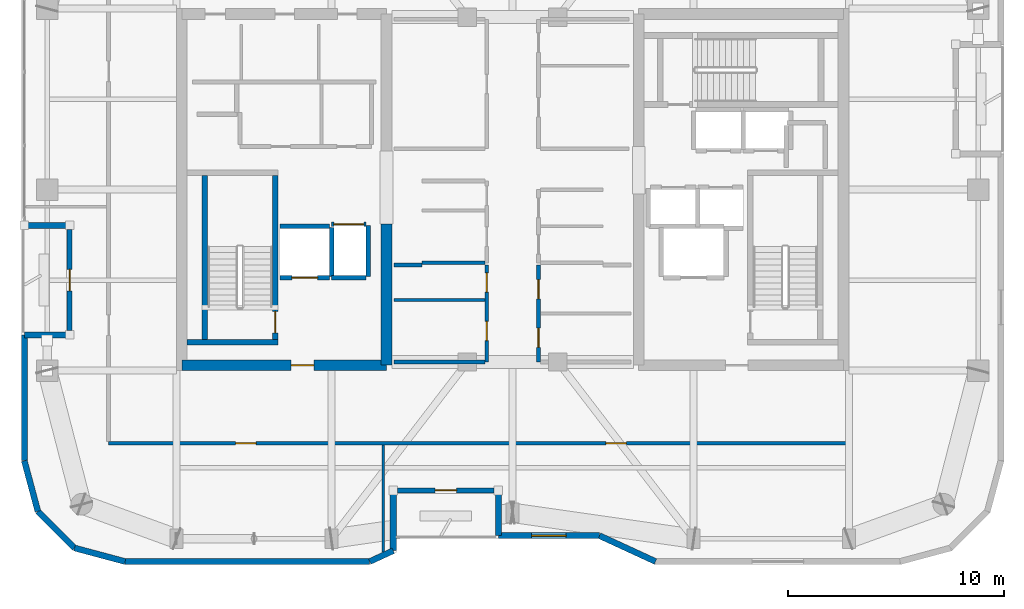
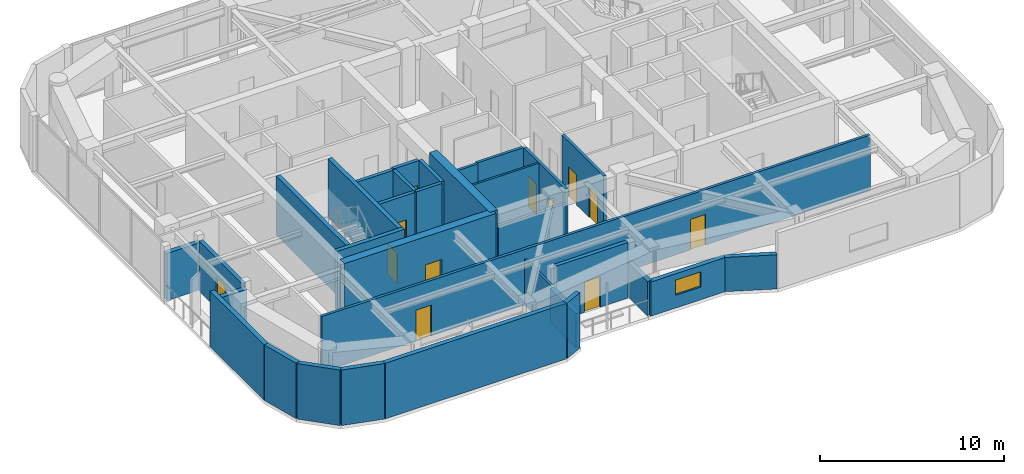
# One storey, part 10 of 15: 33 walls, 12 doors, 1 window, 13 openings.
"""IFC4 building model written with IfcOpenShell, lengths in metres."""

from ifc_helpers import new_model, si_unit, direction, frame, frame_2d, origin, place, context, subcontext, project, spatial, rectangle, extrude, material, layer, layer_set, type_object, element, fill, save


model = new_model("IFC4")

# Units and contexts
model_context = context("Model", 3, precision=1e-05, world=origin(), true_north=direction((0.0, 1.0)))
body_context = subcontext(model_context, "Body", "Model", "MODEL_VIEW")
ifc_project = project(units=[si_unit("LENGTHUNIT", "METRE"), si_unit("AREAUNIT", "SQUARE_METRE"), si_unit("VOLUMEUNIT", "CUBIC_METRE"), si_unit("PLANEANGLEUNIT", "RADIAN"), si_unit("MASSUNIT", "GRAM", prefix="KILO")], contexts=[model_context])

# Site, building, storey
site_placement = place(None, origin())
site = spatial("IfcSite", under=ifc_project, at=site_placement, CompositionType="ELEMENT")
building_placement = place(site_placement, origin())
building = spatial("IfcBuilding", under=site, at=building_placement, Name="Kiyonajd Concourse Tower", CompositionType="ELEMENT")
storey_placement = place(building_placement, frame((0.0, 0.0, 290.10009765625)))
storey = spatial("IfcBuildingStorey", under=building, at=storey_placement, Name="L73", CompositionType="ELEMENT", Elevation=290.10009765625)

# Wall
ifc_material_1 = material(Name="Concrete C60/75", Category="concrete")
ifc_layer_1 = layer(ifc_material_1, 0.5)
ifc_layer_set_1 = layer_set([ifc_layer_1], Name="Concrete C60/75")
wall_type_1 = type_object("IfcWallType", Name="WL-CORE-500", PredefinedType="SHEAR", material=ifc_layer_set_1)
wall_1_placement = place(storey_placement, frame((42.14990234375, 27.85009765625, 0.0), z_axis=(0.0, 0.0, 1.0), x_axis=(0.0, 1.0, 0.0)))
element("IfcWall", 1, at=wall_1_placement, inside=storey, type_object=wall_type_1, Name="L73 West Core Inner South Shear Wall", PredefinedType="SHEAR", context=body_context, shape_type="SweptSolid", body=[
    extrude(rectangle(XDim=6.5498046875, YDim=0.5, at=frame_2d((3.27490234375, 0.0))), origin(), (0.0, 0.0, 1.0), 3.89990234375),
])

# Wall, opening, door
wall_2_placement = place(storey_placement, frame((32.64990234375, 27.85009765625, 0.0), z_axis=(0.0, 0.0, 1.0), x_axis=(1.0, 0.0, 0.0)))
wall_2 = element("IfcWall", 2, at=wall_2_placement, inside=storey, type_object=wall_type_1, Name="L73 West Core South Shear Wall", PredefinedType="SHEAR", context=body_context, shape_type="SweptSolid", body=[
    extrude(rectangle(XDim=9.5, YDim=0.5, at=frame_2d((4.75, 0.0))), origin(), (0.0, 0.0, 1.0), 3.89990234375),
])
opening_1_placement = place(wall_2_placement, frame((5.074951171875, 0.0, 0.0)))
opening_1 = element("IfcOpeningElement", 3, at=opening_1_placement, cuts=wall_2, Name="Opening DF5", PredefinedType="OPENING", context=body_context, shape_type="SweptSolid", body=[
    extrude(rectangle(XDim=1.050048828125, YDim=2.0400390625, at=frame_2d((0.52490234375, 1.02001953125))), frame((0.0, 0.260009765625, 0.0), z_axis=(0.0, -1.0, 0.0), x_axis=(1.0, 0.0, 0.0)), (0.0, 0.0, 1.0), 0.52001953125),
])
ifc_material_2 = material(Name="Brushed Stainless Steel Cab Assembly", Category="steel")
door_type_1 = type_object("IfcDoorType", Name="DR-FD45-1050", OperationType="NOTDEFINED", PredefinedType="DOOR", material=ifc_material_2)
door_1_placement = place(opening_1_placement, origin())
door_1 = element("IfcDoor", 4, at=door_1_placement, inside=storey, type_object=door_type_1, Name="L73 Firefighting Lift Lobby W Smoke Door", OperationType="SINGLE_SWING_LEFT", OverallHeight=2.0400390625, OverallWidth=1.050048828125, PredefinedType="DOOR", context=body_context, shape_type="SweptSolid", body=[
    extrude(rectangle(XDim=1.050048828125, YDim=2.0400390625, at=frame_2d((0.52490234375, 1.02001953125))), frame((0.0, 0.02490234375, 0.0), z_axis=(0.0, -1.0, 0.0), x_axis=(1.0, 0.0, 0.0)), (0.0, 0.0, 1.0), 0.050048828125),
])
fill(opening_1, door_1)

# Walls
ifc_material_3 = material(Name="Precast concrete C50/60", Category="concrete")
ifc_layer_2 = layer(ifc_material_3, 0.280029296875)
ifc_layer_set_2 = layer_set([ifc_layer_2], Name="Precast concrete C50/60")
wall_type_2 = type_object("IfcWallType", Name="WL-EXT-280", PredefinedType="SOLIDWALL", material=ifc_layer_set_2)
wall_3_placement = place(storey_placement, frame((25.968505859375, 21.072509765625, 0.0), z_axis=(0.0, 0.0, 1.0), x_axis=(-0.258751159445, 0.965944013639, 0.0)))
element("IfcWall", 5, at=wall_3_placement, inside=storey, type_object=wall_type_2, Name="L73 Exterior Concrete Frame Wall 00", PredefinedType="SOLIDWALL", context=body_context, shape_type="SweptSolid", body=[
    extrude(rectangle(XDim=2.4287109375, YDim=0.280029296875, at=frame_2d((1.21435546875, 0.0))), origin(), (0.0, 0.0, 1.0), 3.679931640625),
])
wall_4_placement = place(storey_placement, frame((25.340087890625, 23.41845703125, 0.0), z_axis=(0.0, 0.0, 1.0), x_axis=(0.0, 1.0, 0.0)))
element("IfcWall", 6, at=wall_4_placement, inside=storey, type_object=wall_type_2, Name="L73 Exterior Concrete Frame Wall 01", PredefinedType="SOLIDWALL", context=body_context, shape_type="SweptSolid", body=[
    extrude(rectangle(XDim=5.841552734375, YDim=0.280029296875, at=frame_2d((2.9208984375, 0.0))), origin(), (0.0, 0.0, 1.0), 3.679931640625),
])
for number, where, z_axis, x_axis, name in (
    (7, (25.340087890625, 29.260009765625, 0.0), (0.0, 0.0, 1.0), (1.0, 0.0, 0.0), "L73 Exterior Concrete Frame Wall 02"),
    (8, (27.43994140625, 34.340087890625, 0.0), (0.0, 0.0, 1.0), (-1.0, 0.0, 0.0), "L73 Exterior Concrete Frame Wall 04"),
):
    element("IfcWall", number, at=place(storey_placement, frame(where, z_axis=z_axis, x_axis=x_axis)), inside=storey, type_object=wall_type_2, Name=name, PredefinedType="SOLIDWALL", context=body_context, shape_type="SweptSolid", body=[
        extrude(rectangle(XDim=2.099853515625, YDim=0.280029296875, at=frame_2d((1.0498046875, 0.0))), origin(), (0.0, 0.0, 1.0), 3.1259765625),
    ])
wall_5_placement = place(storey_placement, frame((54.630615234375, 18.739990234375, 0.0), z_axis=(0.0, 0.0, 1.0), x_axis=(-0.907956889006, 0.419063584324, 0.0)))
element("IfcWall", 9, at=wall_5_placement, inside=storey, type_object=wall_type_2, Name="L73 Exterior Concrete Frame Wall 29", PredefinedType="SOLIDWALL", context=body_context, shape_type="SweptSolid", body=[
    extrude(rectangle(XDim=2.863525390625, YDim=0.280029296875, at=frame_2d((1.431640625, 0.0))), origin(), (0.0, 0.0, 1.0), 2.264892578125),
])

# Wall, opening, window
wall_6_placement = place(storey_placement, frame((52.03076171875, 19.93994140625, 0.0), z_axis=(0.0, 0.0, 1.0), x_axis=(-1.0, 0.0, 0.0)))
wall_6 = element("IfcWall", 10, at=wall_6_placement, inside=storey, type_object=wall_type_2, Name="L73 Exterior Concrete Frame Wall 30", PredefinedType="SOLIDWALL", context=body_context, shape_type="SweptSolid", body=[
    extrude(rectangle(XDim=4.690673828125, YDim=0.280029296875, at=frame_2d((2.34521484375, 0.0))), origin(), (0.0, 0.0, 1.0), 2.264892578125),
])
opening_2_placement = place(wall_6_placement, frame((1.544921875, 0.0, 0.85009765625)))
opening_2 = element("IfcOpeningElement", 11, at=opening_2_placement, cuts=wall_6, Name="Opening WN6", PredefinedType="OPENING", context=body_context, shape_type="SweptSolid", body=[
    extrude(rectangle(XDim=1.60009765625, YDim=1.0, at=frame_2d((0.800048828125, 0.5))), frame((0.0, 0.14990234375, 0.0), z_axis=(0.0, -1.0, 0.0), x_axis=(1.0, 0.0, 0.0)), (0.0, 0.0, 1.0), 0.300048828125),
])
ifc_material_4 = material(Name="Double Low-E Insulated Glass", Category="glass")
window_type = type_object("IfcWindowType", Name="WN-VIS-1600x1000", PartitioningType="SINGLE_PANEL", PredefinedType="WINDOW", material=ifc_material_4)
window_placement = place(opening_2_placement, origin())
window = element("IfcWindow", 12, at=window_placement, inside=storey, type_object=window_type, Name="L73 Modular Facade Vision Window 30", OverallHeight=1.0, OverallWidth=1.60009765625, PartitioningType="SINGLE_PANEL", PredefinedType="WINDOW", context=body_context, shape_type="SweptSolid", body=[
    extrude(rectangle(XDim=1.60009765625, YDim=1.0, at=frame_2d((0.800048828125, 0.5))), frame((0.0, 0.030029296875, 0.0), z_axis=(0.0, -1.0, 0.0), x_axis=(1.0, 0.0, 0.0)), (0.0, 0.0, 1.0), 0.06005859375),
])
fill(opening_2, window)

# Walls
wall_7_placement = place(storey_placement, frame((47.340087890625, 19.93994140625, 0.0), z_axis=(0.0, 0.0, 1.0), x_axis=(0.0, 1.0, 0.0)))
element("IfcWall", 13, at=wall_7_placement, inside=storey, type_object=wall_type_2, Name="L73 Exterior Concrete Frame Wall 31", PredefinedType="SOLIDWALL", context=body_context, shape_type="SweptSolid", body=[
    extrude(rectangle(XDim=2.10009765625, YDim=0.280029296875, at=frame_2d((1.050048828125, 0.0))), origin(), (0.0, 0.0, 1.0), 2.264892578125),
])
wall_8_placement = place(storey_placement, frame((42.4599609375, 22.0400390625, 0.0), z_axis=(0.0, 0.0, 1.0), x_axis=(0.0, -1.0, 0.0)))
element("IfcWall", 14, at=wall_8_placement, inside=storey, type_object=wall_type_2, Name="L73 Exterior Concrete Frame Wall 33", PredefinedType="SOLIDWALL", context=body_context, shape_type="SweptSolid", body=[
    extrude(rectangle(XDim=2.79638671875, YDim=0.280029296875, at=frame_2d((1.398193359375, 0.0))), origin(), (0.0, 0.0, 1.0), 2.264892578125),
])
wall_9_placement = place(storey_placement, frame((42.4599609375, 19.24365234375, 0.0), z_axis=(0.0, 0.0, 1.0), x_axis=(-0.907893953211, -0.419199916176, 0.0)))
element("IfcWall", 15, at=wall_9_placement, inside=storey, type_object=wall_type_2, Name="L73 Exterior Concrete Frame Wall 34", PredefinedType="SOLIDWALL", context=body_context, shape_type="SweptSolid", body=[
    extrude(rectangle(XDim=1.201416015625, YDim=0.280029296875, at=frame_2d((0.6005859375, 0.0))), origin(), (0.0, 0.0, 1.0), 3.679931640625),
])
wall_10_placement = place(storey_placement, frame((41.369140625, 18.739990234375, 0.0), z_axis=(0.0, 0.0, 1.0), x_axis=(-1.0, 0.0, 0.0)))
element("IfcWall", 16, at=wall_10_placement, inside=storey, type_object=wall_type_2, Name="L73 Exterior Concrete Frame Wall 35", PredefinedType="SOLIDWALL", context=body_context, shape_type="SweptSolid", body=[
    extrude(rectangle(XDim=11.350830078125, YDim=0.280029296875, at=frame_2d((5.67529296875, 0.0))), origin(), (0.0, 0.0, 1.0), 3.679931640625),
])
wall_11_placement = place(storey_placement, frame((30.018310546875, 18.739990234375, 0.0), z_axis=(0.0, 0.0, 1.0), x_axis=(-0.965937282298, 0.25877628691, 0.0)))
element("IfcWall", 17, at=wall_11_placement, inside=storey, type_object=wall_type_2, Name="L73 Exterior Concrete Frame Wall 36", PredefinedType="SOLIDWALL", context=body_context, shape_type="SweptSolid", body=[
    extrude(rectangle(XDim=2.428466796875, YDim=0.280029296875, at=frame_2d((1.21435546875, 0.0))), origin(), (0.0, 0.0, 1.0), 3.679931640625),
])
wall_12_placement = place(storey_placement, frame((27.672607421875, 19.368408203125, 0.0), z_axis=(0.0, 0.0, 1.0), x_axis=(-0.707106781187, 0.707106781187, 0.0)))
element("IfcWall", 18, at=wall_12_placement, inside=storey, type_object=wall_type_2, Name="L73 Exterior Concrete Frame Wall 37", PredefinedType="SOLIDWALL", context=body_context, shape_type="SweptSolid", body=[
    extrude(rectangle(XDim=2.409912109375, YDim=0.280029296875, at=frame_2d((1.205078125, 0.0))), origin(), (0.0, 0.0, 1.0), 3.679931640625),
])

# Wall, opening, door
ifc_layer_3 = layer(ifc_material_3, 0.239990234375)
ifc_layer_set_3 = layer_set([ifc_layer_3], Name="Precast concrete C50/60")
wall_type_3 = type_object("IfcWallType", Name="WL-LOG-240", PredefinedType="SOLIDWALL", material=ifc_layer_set_3)
wall_13_placement = place(storey_placement, frame((27.43994140625, 29.455078125, 0.0), z_axis=(0.0, 0.0, 1.0), x_axis=(0.0, 1.0, 0.0)))
wall_13 = element("IfcWall", 19, at=wall_13_placement, inside=storey, type_object=wall_type_3, Name="L73 Recessed Loggia Thermal Wall LOG-W", PredefinedType="SOLIDWALL", context=body_context, shape_type="SweptSolid", body=[
    extrude(rectangle(XDim=4.68994140625, YDim=0.239990234375, at=frame_2d((2.344970703125, 0.0))), origin(), (0.0, 0.0, 1.0), 3.310791015625),
])
opening_3_placement = place(wall_13_placement, frame((1.844970703125, 0.0, 0.0)))
opening_3 = element("IfcOpeningElement", 20, at=opening_3_placement, cuts=wall_13, Name="Opening DL1", PredefinedType="OPENING", context=body_context, shape_type="SweptSolid", body=[
    extrude(rectangle(XDim=1.0, YDim=2.02001953125, at=frame_2d((0.5, 1.010009765625))), frame((0.0, 0.1298828125, 0.0), z_axis=(0.0, -1.0, 0.0), x_axis=(1.0, 0.0, 0.0)), (0.0, 0.0, 1.0), 0.260009765625),
])
ifc_material_5 = material(Name="Thermally Broken Anodised Aluminium", Category="aluminium")
door_type_2 = type_object("IfcDoorType", Name="DR-LOG-1000", OperationType="NOTDEFINED", PredefinedType="DOOR", material=ifc_material_5)
door_2_placement = place(opening_3_placement, origin())
door_2 = element("IfcDoor", 21, at=door_2_placement, inside=storey, type_object=door_type_2, Name="L73 Engawa Loggia Access Door LOG-W", OperationType="SINGLE_SWING_LEFT", OverallHeight=2.02001953125, OverallWidth=1.0, PredefinedType="DOOR", context=body_context, shape_type="SweptSolid", body=[
    extrude(rectangle(XDim=1.0, YDim=2.02001953125, at=frame_2d((0.5, 1.010009765625))), frame((0.0, 0.02490234375, 0.0), z_axis=(0.0, -1.0, 0.0), x_axis=(1.0, 0.0, 0.0)), (0.0, 0.0, 1.0), 0.050048828125),
])
fill(opening_3, door_2)

wall_14_placement = place(storey_placement, frame((47.14501953125, 22.0400390625, 0.0), z_axis=(0.0, 0.0, 1.0), x_axis=(-1.0, 0.0, 0.0)))
wall_14 = element("IfcWall", 22, at=wall_14_placement, inside=storey, type_object=wall_type_3, Name="L73 Recessed Loggia Thermal Wall LOG-S", PredefinedType="SOLIDWALL", context=body_context, shape_type="SweptSolid", body=[
    extrude(rectangle(XDim=4.489990234375, YDim=0.239990234375, at=frame_2d((2.2451171875, 0.0))), origin(), (0.0, 0.0, 1.0), 3.679931640625),
])
opening_4_placement = place(wall_14_placement, frame((1.7451171875, 0.0, 0.0)))
opening_4 = element("IfcOpeningElement", 23, at=opening_4_placement, cuts=wall_14, Name="Opening DL1", PredefinedType="OPENING", context=body_context, shape_type="SweptSolid", body=[
    extrude(rectangle(XDim=1.0, YDim=2.02001953125, at=frame_2d((0.5, 1.010009765625))), frame((0.0, 0.1298828125, 0.0), z_axis=(0.0, -1.0, 0.0), x_axis=(1.0, 0.0, 0.0)), (0.0, 0.0, 1.0), 0.260009765625),
])
door_3_placement = place(opening_4_placement, origin())
door_3 = element("IfcDoor", 24, at=door_3_placement, inside=storey, type_object=door_type_2, Name="L73 Engawa Loggia Access Door LOG-S", OperationType="SINGLE_SWING_RIGHT", OverallHeight=2.02001953125, OverallWidth=1.0, PredefinedType="DOOR", context=body_context, shape_type="SweptSolid", body=[
    extrude(rectangle(XDim=1.0, YDim=2.02001953125, at=frame_2d((0.5, 1.010009765625))), frame((0.0, 0.02490234375, 0.0), z_axis=(0.0, -1.0, 0.0), x_axis=(1.0, 0.0, 0.0)), (0.0, 0.0, 1.0), 0.050048828125),
])
fill(opening_4, door_3)

# Walls
ifc_material_6 = material(Name="Gypsum Board on Cold-Formed Steel Stud", Category="steel")
ifc_layer_4 = layer(ifc_material_6, 0.125)
ifc_layer_set_4 = layer_set([ifc_layer_4], Name="Gypsum Board on Cold-Formed Steel Stud")
wall_type_4 = type_object("IfcWallType", Name="WL-PART-125", PredefinedType="PARTITIONING", material=ifc_layer_set_4)
wall_15_placement = place(storey_placement, frame((42.5, 30.8798828125, 0.0), z_axis=(0.0, 0.0, 1.0), x_axis=(1.0, 0.0, 0.0)))
element("IfcWall", 25, at=wall_15_placement, inside=storey, type_object=wall_type_4, Name="L73 Interior Partition Wall", PredefinedType="PARTITIONING", context=body_context, shape_type="SweptSolid", body=[
    extrude(rectangle(XDim=4.212890625, YDim=0.125, at=frame_2d((2.1064453125, 0.0))), origin(), (0.0, 0.0, 1.0), 3.679931640625),
])
wall_16_placement = place(storey_placement, frame((42.0, 19.18310546875, 0.0), z_axis=(0.0, 0.0, 1.0), x_axis=(0.0, 1.0, 0.0)))
element("IfcWall", 26, at=wall_16_placement, inside=storey, type_object=wall_type_4, Name="L73 Interior Partition Wall", PredefinedType="PARTITIONING", context=body_context, shape_type="SweptSolid", body=[
    extrude(rectangle(XDim=4.9599609375, YDim=0.125, at=frame_2d((2.47998046875, 0.0))), origin(), (0.0, 0.0, 1.0), 3.04296875),
])

# Wall, opening, door
ifc_layer_5 = layer(ifc_material_6, 0.2099609375)
ifc_layer_set_5 = layer_set([ifc_layer_5], Name="Gypsum Board on Cold-Formed Steel Stud")
wall_type_5 = type_object("IfcWallType", Name="WL-SHAFT-210", PredefinedType="PARTITIONING", material=ifc_layer_set_5)
wall_17_placement = place(storey_placement, frame((37.199951171875, 31.89990234375, 0.0), z_axis=(0.0, 0.0, 1.0), x_axis=(1.0, 0.0, 0.0)))
wall_17 = element("IfcWall", 27, at=wall_17_placement, inside=storey, type_object=wall_type_5, Name="L73 Shaft Enclosure Wall", PredefinedType="PARTITIONING", context=body_context, shape_type="SweptSolid", body=[
    extrude(rectangle(XDim=2.300048828125, YDim=0.2099609375, at=frame_2d((1.14990234375, 0.0))), origin(), (0.0, 0.0, 1.0), 3.679931640625),
])
opening_5_placement = place(wall_17_placement, frame((0.550048828125, 0.0, 0.0)))
opening_5 = element("IfcOpeningElement", 28, at=opening_5_placement, cuts=wall_17, Name="Opening LD2", PredefinedType="OPENING", context=body_context, shape_type="SweptSolid", body=[
    extrude(rectangle(XDim=1.199951171875, YDim=2.0400390625, at=frame_2d((0.60009765625, 1.02001953125))), frame((0.0, 0.114990234375, 0.0), z_axis=(0.0, -1.0, 0.0), x_axis=(1.0, 0.0, 0.0)), (0.0, 0.0, 1.0), 0.22998046875),
])
door_type_3 = type_object("IfcDoorType", Name="DR-LD-1200", OperationType="DOUBLE_DOOR_SLIDING", PredefinedType="DOOR", material=ifc_material_2)
door_4_placement = place(opening_5_placement, origin())
door_4 = element("IfcDoor", 29, at=door_4_placement, inside=storey, type_object=door_type_3, Name="L73 Lift FFL1 Sliding Landing Door", OperationType="DOUBLE_DOOR_SLIDING", OverallHeight=2.0400390625, OverallWidth=1.199951171875, PredefinedType="DOOR", context=body_context, shape_type="SweptSolid", body=[
    extrude(rectangle(XDim=1.199951171875, YDim=2.0400390625, at=frame_2d((0.60009765625, 1.02001953125))), frame((0.0, 0.02490234375, 0.0), z_axis=(0.0, -1.0, 0.0), x_axis=(1.0, 0.0, 0.0)), (0.0, 0.0, 1.0), 0.050048828125),
])
fill(opening_5, door_4)

# Walls
wall_18_placement = place(storey_placement, frame((37.199951171875, 34.300048828125, 0.0), z_axis=(0.0, 0.0, 1.0), x_axis=(1.0, 0.0, 0.0)))
element("IfcWall", 30, at=wall_18_placement, inside=storey, type_object=wall_type_5, Name="L73 Shaft Enclosure Wall", PredefinedType="PARTITIONING", context=body_context, shape_type="SweptSolid", body=[
    extrude(rectangle(XDim=2.300048828125, YDim=0.2099609375, at=frame_2d((1.14990234375, 0.0))), origin(), (0.0, 0.0, 1.0), 3.679931640625),
])
wall_19_placement = place(storey_placement, frame((39.60009765625, 31.9599609375, 0.0), z_axis=(0.0, 0.0, 1.0), x_axis=(0.0, 1.0, 0.0)))
element("IfcWall", 31, at=wall_19_placement, inside=storey, type_object=wall_type_5, Name="L73 Shaft Enclosure Wall", PredefinedType="PARTITIONING", context=body_context, shape_type="SweptSolid", body=[
    extrude(rectangle(XDim=2.280029296875, YDim=0.2099609375, at=frame_2d((1.14013671875, 0.0))), origin(), (0.0, 0.0, 1.0), 3.679931640625),
])

# Wall, opening, door
wall_20_placement = place(storey_placement, frame((39.60009765625, 34.39990234375, 0.0), z_axis=(0.0, 0.0, 1.0), x_axis=(1.0, 0.0, 0.0)))
wall_20 = element("IfcWall", 32, at=wall_20_placement, inside=storey, type_object=wall_type_5, Name="L73 Shaft Enclosure Wall", PredefinedType="PARTITIONING", context=body_context, shape_type="SweptSolid", body=[
    extrude(rectangle(XDim=1.599853515625, YDim=0.2099609375, at=frame_2d((0.7998046875, 0.0))), origin(), (0.0, 0.0, 1.0), 3.679931640625),
])
opening_6_placement = place(wall_20_placement, frame((0.10009765625, 0.0, 0.0)))
opening_6 = element("IfcOpeningElement", 33, at=opening_6_placement, cuts=wall_20, Name="Opening LD3", PredefinedType="OPENING", context=body_context, shape_type="SweptSolid", body=[
    extrude(rectangle(XDim=1.39990234375, YDim=2.06005859375, at=frame_2d((0.699951171875, 1.030029296875))), frame((0.0, 0.114990234375, 0.0), z_axis=(0.0, -1.0, 0.0), x_axis=(1.0, 0.0, 0.0)), (0.0, 0.0, 1.0), 0.22998046875),
])
door_type_4 = type_object("IfcDoorType", Name="DR-LD-1400", OperationType="DOUBLE_DOOR_SLIDING", PredefinedType="DOOR", material=ifc_material_2)
door_5_placement = place(opening_6_placement, origin())
door_5 = element("IfcDoor", 34, at=door_5_placement, inside=storey, type_object=door_type_4, Name="L73 Lift SVL1 Sliding Landing Door", OperationType="DOUBLE_DOOR_SLIDING", OverallHeight=2.06005859375, OverallWidth=1.39990234375, PredefinedType="DOOR", context=body_context, shape_type="SweptSolid", body=[
    extrude(rectangle(XDim=1.39990234375, YDim=2.06005859375, at=frame_2d((0.699951171875, 1.030029296875))), frame((0.0, 0.02490234375, 0.0), z_axis=(0.0, -1.0, 0.0), x_axis=(1.0, 0.0, 0.0)), (0.0, 0.0, 1.0), 0.050048828125),
])
fill(opening_6, door_5)

# Walls
wall_21_placement = place(storey_placement, frame((39.60009765625, 31.89990234375, 0.0), z_axis=(0.0, 0.0, 1.0), x_axis=(1.0, 0.0, 0.0)))
element("IfcWall", 35, at=wall_21_placement, inside=storey, type_object=wall_type_5, Name="L73 Shaft Enclosure Wall", PredefinedType="PARTITIONING", context=body_context, shape_type="SweptSolid", body=[
    extrude(rectangle(XDim=1.599853515625, YDim=0.2099609375, at=frame_2d((0.7998046875, 0.0))), origin(), (0.0, 0.0, 1.0), 3.679931640625),
])
wall_22_placement = place(storey_placement, frame((41.300048828125, 31.9599609375, 0.0), z_axis=(0.0, 0.0, 1.0), x_axis=(0.0, 1.0, 0.0)))
element("IfcWall", 36, at=wall_22_placement, inside=storey, type_object=wall_type_5, Name="L73 Shaft Enclosure Wall", PredefinedType="PARTITIONING", context=body_context, shape_type="SweptSolid", body=[
    extrude(rectangle(XDim=2.380126953125, YDim=0.2099609375, at=frame_2d((1.18994140625, 0.0))), origin(), (0.0, 0.0, 1.0), 3.679931640625),
])
ifc_layer_6 = layer(ifc_material_6, 0.169921875)
ifc_layer_set_6 = layer_set([ifc_layer_6], Name="Gypsum Board on Cold-Formed Steel Stud")
wall_type_6 = type_object("IfcWallType", Name="WL-SMK-170", PredefinedType="PARTITIONING", material=ifc_layer_set_6)
wall_23_placement = place(storey_placement, frame((43.800048828125, 32.60009765625, 0.0), z_axis=(0.0, 0.0, 1.0), x_axis=(1.0, 0.0, 0.0)))
element("IfcWall", 37, at=wall_23_placement, inside=storey, type_object=wall_type_6, Name="L73 Interior Partition Wall", PredefinedType="PARTITIONING", context=body_context, shape_type="SweptSolid", body=[
    extrude(rectangle(XDim=2.912841796875, YDim=0.169921875, at=frame_2d((1.45654296875, 0.0))), origin(), (0.0, 0.0, 1.0), 3.679931640625),
])

# Wall, openings, doors
wall_24_placement = place(storey_placement, frame((46.800048828125, 28.0, 0.0), z_axis=(0.0, 0.0, 1.0), x_axis=(0.0, 1.0, 0.0)))
wall_24 = element("IfcWall", 38, at=wall_24_placement, inside=storey, type_object=wall_type_6, Name="L73 Interior Partition Wall", PredefinedType="PARTITIONING", context=body_context, shape_type="SweptSolid", body=[
    extrude(rectangle(XDim=4.5, YDim=0.169921875, at=frame_2d((2.25, 0.0))), origin(), (0.0, 0.0, 1.0), 3.679931640625),
])
opening_7_placement = place(wall_24_placement, frame((0.989990234375, 0.0, 0.0)))
opening_7 = element("IfcOpeningElement", 39, at=opening_7_placement, cuts=wall_24, Name="Opening DF4", PredefinedType="OPENING", context=body_context, shape_type="SweptSolid", body=[
    extrude(rectangle(XDim=0.89990234375, YDim=2.02001953125, at=frame_2d((0.449951171875, 1.010009765625))), frame((0.0, 0.094970703125, 0.0), z_axis=(0.0, -1.0, 0.0), x_axis=(1.0, 0.0, 0.0)), (0.0, 0.0, 1.0), 0.18994140625),
])
opening_8_placement = place(wall_24_placement, frame((3.239990234375, 0.0, 0.0)))
opening_8 = element("IfcOpeningElement", 40, at=opening_8_placement, cuts=wall_24, Name="Opening DF4", PredefinedType="OPENING", context=body_context, shape_type="SweptSolid", body=[
    extrude(rectangle(XDim=0.89990234375, YDim=2.02001953125, at=frame_2d((0.449951171875, 1.010009765625))), frame((0.0, 0.094970703125, 0.0), z_axis=(0.0, -1.0, 0.0), x_axis=(1.0, 0.0, 0.0)), (0.0, 0.0, 1.0), 0.18994140625),
])
door_type_5 = type_object("IfcDoorType", Name="DR-FD60-900", OperationType="NOTDEFINED", PredefinedType="DOOR", material=ifc_material_2)
door_6_placement = place(opening_7_placement, origin())
door_6 = element("IfcDoor", 41, at=door_6_placement, inside=storey, type_object=door_type_5, Name="L73 Interior Door", OperationType="SINGLE_SWING_RIGHT", OverallHeight=2.02001953125, OverallWidth=0.89990234375, PredefinedType="DOOR", context=body_context, shape_type="SweptSolid", body=[
    extrude(rectangle(XDim=0.89990234375, YDim=2.02001953125, at=frame_2d((0.449951171875, 1.010009765625))), frame((0.0, 0.02490234375, 0.0), z_axis=(0.0, -1.0, 0.0), x_axis=(1.0, 0.0, 0.0)), (0.0, 0.0, 1.0), 0.050048828125),
])
fill(opening_7, door_6)
door_7_placement = place(opening_8_placement, origin())
door_7 = element("IfcDoor", 42, at=door_7_placement, inside=storey, type_object=door_type_5, Name="L73 Interior Door", OperationType="SINGLE_SWING_LEFT", OverallHeight=2.02001953125, OverallWidth=0.89990234375, PredefinedType="DOOR", context=body_context, shape_type="SweptSolid", body=[
    extrude(rectangle(XDim=0.89990234375, YDim=2.02001953125, at=frame_2d((0.449951171875, 1.010009765625))), frame((0.0, 0.02490234375, 0.0), z_axis=(0.0, -1.0, 0.0), x_axis=(1.0, 0.0, 0.0)), (0.0, 0.0, 1.0), 0.050048828125),
])
fill(opening_8, door_7)

# Walls
wall_25_placement = place(storey_placement, frame((42.5, 28.0, 0.0), z_axis=(0.0, 0.0, 1.0), x_axis=(1.0, 0.0, 0.0)))
element("IfcWall", 43, at=wall_25_placement, inside=storey, type_object=wall_type_6, Name="L73 Interior Partition Wall", PredefinedType="PARTITIONING", context=body_context, shape_type="SweptSolid", body=[
    extrude(rectangle(XDim=4.212890625, YDim=0.169921875, at=frame_2d((2.1064453125, 0.0))), origin(), (0.0, 0.0, 1.0), 2.764892578125),
])
wall_26_placement = place(storey_placement, frame((42.5, 32.5, 0.0), z_axis=(0.0, 0.0, 1.0), x_axis=(1.0, 0.0, 0.0)))
element("IfcWall", 44, at=wall_26_placement, inside=storey, type_object=wall_type_6, Name="L73 Interior Partition Wall", PredefinedType="PARTITIONING", context=body_context, shape_type="SweptSolid", body=[
    extrude(rectangle(XDim=1.300048828125, YDim=0.169921875, at=frame_2d((0.64990234375, 0.0))), origin(), (0.0, 0.0, 1.0), 3.679931640625),
])

# Wall, openings, doors
wall_27_placement = place(storey_placement, frame((49.199951171875, 28.0, 0.0), z_axis=(0.0, 0.0, 1.0), x_axis=(0.0, 1.0, 0.0)))
wall_27 = element("IfcWall", 45, at=wall_27_placement, inside=storey, type_object=wall_type_6, Name="L73 Interior Partition Wall", PredefinedType="PARTITIONING", context=body_context, shape_type="SweptSolid", body=[
    extrude(rectangle(XDim=4.5, YDim=0.169921875, at=frame_2d((2.25, 0.0))), origin(), (0.0, 0.0, 1.0), 3.679931640625),
])
opening_9_placement = place(wall_27_placement, frame((0.675048828125, 0.0, 0.0)))
opening_9 = element("IfcOpeningElement", 46, at=opening_9_placement, cuts=wall_27, Name="Opening DI2", PredefinedType="OPENING", context=body_context, shape_type="SweptSolid", body=[
    extrude(rectangle(XDim=0.89990234375, YDim=2.02001953125, at=frame_2d((0.449951171875, 1.010009765625))), frame((0.0, 0.094970703125, 0.0), z_axis=(0.0, -1.0, 0.0), x_axis=(1.0, 0.0, 0.0)), (0.0, 0.0, 1.0), 0.18994140625),
])
opening_10_placement = place(wall_27_placement, frame((2.925048828125, 0.0, 0.0)))
opening_10 = element("IfcOpeningElement", 47, at=opening_10_placement, cuts=wall_27, Name="Opening DI2", PredefinedType="OPENING", context=body_context, shape_type="SweptSolid", body=[
    extrude(rectangle(XDim=0.89990234375, YDim=2.02001953125, at=frame_2d((0.449951171875, 1.010009765625))), frame((0.0, 0.094970703125, 0.0), z_axis=(0.0, -1.0, 0.0), x_axis=(1.0, 0.0, 0.0)), (0.0, 0.0, 1.0), 0.18994140625),
])
ifc_material_7 = material(Name="Natural Oak Acoustic Timber Veneer", Category="wood")
door_type_6 = type_object("IfcDoorType", Name="DR-INT-900", OperationType="NOTDEFINED", PredefinedType="DOOR", material=ifc_material_7)
door_8_placement = place(opening_9_placement, origin())
door_8 = element("IfcDoor", 48, at=door_8_placement, inside=storey, type_object=door_type_6, Name="L73 Interior Door", OperationType="SINGLE_SWING_RIGHT", OverallHeight=2.02001953125, OverallWidth=0.89990234375, PredefinedType="DOOR", context=body_context, shape_type="SweptSolid", body=[
    extrude(rectangle(XDim=0.89990234375, YDim=2.02001953125, at=frame_2d((0.449951171875, 1.010009765625))), frame((0.0, 0.02490234375, 0.0), z_axis=(0.0, -1.0, 0.0), x_axis=(1.0, 0.0, 0.0)), (0.0, 0.0, 1.0), 0.050048828125),
])
fill(opening_9, door_8)
door_9_placement = place(opening_10_placement, origin())
door_9 = element("IfcDoor", 49, at=door_9_placement, inside=storey, type_object=door_type_6, Name="L73 Interior Door", OperationType="SINGLE_SWING_LEFT", OverallHeight=2.02001953125, OverallWidth=0.89990234375, PredefinedType="DOOR", context=body_context, shape_type="SweptSolid", body=[
    extrude(rectangle(XDim=0.89990234375, YDim=2.02001953125, at=frame_2d((0.449951171875, 1.010009765625))), frame((0.0, 0.02490234375, 0.0), z_axis=(0.0, -1.0, 0.0), x_axis=(1.0, 0.0, 0.0)), (0.0, 0.0, 1.0), 0.050048828125),
])
fill(opening_10, door_9)

wall_28_placement = place(storey_placement, frame((29.25, 24.22998046875, 0.0), z_axis=(0.0, 0.0, 1.0), x_axis=(1.0, 0.0, 0.0)))
wall_28 = element("IfcWall", 50, at=wall_28_placement, inside=storey, type_object=wall_type_6, Name="L73 Interior Partition Wall", PredefinedType="PARTITIONING", context=body_context, shape_type="SweptSolid", body=[
    extrude(rectangle(XDim=34.35009765625, YDim=0.169921875, at=frame_2d((17.175048828125, 0.0))), origin(), (0.0, 0.0, 1.0), 3.679931640625),
])
opening_11_placement = place(wall_28_placement, frame((5.89990234375, 0.0, 0.0)))
opening_11 = element("IfcOpeningElement", 51, at=opening_11_placement, cuts=wall_28, Name="Opening DI1", PredefinedType="OPENING", context=body_context, shape_type="SweptSolid", body=[
    extrude(rectangle(XDim=0.949951171875, YDim=2.0400390625, at=frame_2d((0.47509765625, 1.02001953125))), frame((0.0, 0.094970703125, 0.0), z_axis=(0.0, -1.0, 0.0), x_axis=(1.0, 0.0, 0.0)), (0.0, 0.0, 1.0), 0.18994140625),
])
opening_12_placement = place(wall_28_placement, frame((23.074951171875, 0.0, 0.0)))
opening_12 = element("IfcOpeningElement", 52, at=opening_12_placement, cuts=wall_28, Name="Opening DI1", PredefinedType="OPENING", context=body_context, shape_type="SweptSolid", body=[
    extrude(rectangle(XDim=0.949951171875, YDim=2.0400390625, at=frame_2d((0.47509765625, 1.02001953125))), frame((0.0, 0.094970703125, 0.0), z_axis=(0.0, -1.0, 0.0), x_axis=(1.0, 0.0, 0.0)), (0.0, 0.0, 1.0), 0.18994140625),
])
door_type_7 = type_object("IfcDoorType", Name="DR-INT-950", OperationType="NOTDEFINED", PredefinedType="DOOR", material=ifc_material_7)
door_10_placement = place(opening_11_placement, origin())
door_10 = element("IfcDoor", 53, at=door_10_placement, inside=storey, type_object=door_type_7, Name="L73 Interior Door", OperationType="SINGLE_SWING_LEFT", OverallHeight=2.0400390625, OverallWidth=0.949951171875, PredefinedType="DOOR", context=body_context, shape_type="SweptSolid", body=[
    extrude(rectangle(XDim=0.949951171875, YDim=2.0400390625, at=frame_2d((0.47509765625, 1.02001953125))), frame((0.0, 0.02490234375, 0.0), z_axis=(0.0, -1.0, 0.0), x_axis=(1.0, 0.0, 0.0)), (0.0, 0.0, 1.0), 0.050048828125),
])
fill(opening_11, door_10)
door_11_placement = place(opening_12_placement, origin())
door_11 = element("IfcDoor", 54, at=door_11_placement, inside=storey, type_object=door_type_7, Name="L73 Interior Door", OperationType="SINGLE_SWING_RIGHT", OverallHeight=2.0400390625, OverallWidth=0.949951171875, PredefinedType="DOOR", context=body_context, shape_type="SweptSolid", body=[
    extrude(rectangle(XDim=0.949951171875, YDim=2.0400390625, at=frame_2d((0.47509765625, 1.02001953125))), frame((0.0, 0.02490234375, 0.0), z_axis=(0.0, -1.0, 0.0), x_axis=(1.0, 0.0, 0.0)), (0.0, 0.0, 1.0), 0.050048828125),
])
fill(opening_12, door_11)

# Walls
ifc_material_8 = material(Name="Concrete C50/60", Category="concrete")
ifc_layer_7 = layer(ifc_material_8, 0.260009765625)
ifc_layer_set_7 = layer_set([ifc_layer_7], Name="Concrete C50/60")
wall_type_7 = type_object("IfcWallType", Name="WL-STAIR-260", PredefinedType="SHEAR", material=ifc_layer_set_7)
wall_29_placement = place(storey_placement, frame((32.89990234375, 28.919921875, 0.0), z_axis=(0.0, 0.0, 1.0), x_axis=(1.0, 0.0, 0.0)))
element("IfcWall", 55, at=wall_29_placement, inside=storey, type_object=wall_type_7, Name="L73 Stair ST1 Structural South Wall", PredefinedType="SHEAR", context=body_context, shape_type="SweptSolid", body=[
    extrude(rectangle(XDim=4.210205078125, YDim=0.260009765625, at=frame_2d((2.10498046875, 0.0))), origin(), (0.0, 0.0, 1.0), 3.89990234375),
])
wall_30_placement = place(storey_placement, frame((33.719970703125, 29.050048828125, 0.0), z_axis=(0.0, 0.0, 1.0), x_axis=(0.0, 1.0, 0.0)))
element("IfcWall", 56, at=wall_30_placement, inside=storey, type_object=wall_type_7, Name="L73 Stair ST1 Structural West Wall", PredefinedType="SHEAR", context=body_context, shape_type="SweptSolid", body=[
    extrude(rectangle(XDim=7.599853515625, YDim=0.260009765625, at=frame_2d((3.7998046875, 0.0))), origin(), (0.0, 0.0, 1.0), 3.89990234375),
])

# Wall, opening, door
wall_31_placement = place(storey_placement, frame((36.97998046875, 29.050048828125, 0.0), z_axis=(0.0, 0.0, 1.0), x_axis=(0.0, 1.0, 0.0)))
wall_31 = element("IfcWall", 57, at=wall_31_placement, inside=storey, type_object=wall_type_7, Name="L73 Stair ST1 Structural East Wall", PredefinedType="SHEAR", context=body_context, shape_type="SweptSolid", body=[
    extrude(rectangle(XDim=7.599853515625, YDim=0.260009765625, at=frame_2d((3.7998046875, 0.0))), origin(), (0.0, 0.0, 1.0), 3.89990234375),
])
opening_13_placement = place(wall_31_placement, frame((0.300048828125, 0.0, 0.0)))
opening_13 = element("IfcOpeningElement", 58, at=opening_13_placement, cuts=wall_31, Name="Opening DF1", PredefinedType="OPENING", context=body_context, shape_type="SweptSolid", body=[
    extrude(rectangle(XDim=1.0, YDim=2.0400390625, at=frame_2d((0.5, 1.02001953125))), frame((0.0, 0.139892578125, 0.0), z_axis=(0.0, -1.0, 0.0), x_axis=(1.0, 0.0, 0.0)), (0.0, 0.0, 1.0), 0.280029296875),
])
door_type_8 = type_object("IfcDoorType", Name="DR-FD90-1000", OperationType="NOTDEFINED", PredefinedType="DOOR", material=ifc_material_2)
door_12_placement = place(opening_13_placement, origin())
door_12 = element("IfcDoor", 59, at=door_12_placement, inside=storey, type_object=door_type_8, Name="L73 Stair ST1 FSAE Door", OperationType="SINGLE_SWING_LEFT", OverallHeight=2.0400390625, OverallWidth=1.0, PredefinedType="DOOR", context=body_context, shape_type="SweptSolid", body=[
    extrude(rectangle(XDim=1.0, YDim=2.0400390625, at=frame_2d((0.5, 1.02001953125))), frame((0.0, 0.02490234375, 0.0), z_axis=(0.0, -1.0, 0.0), x_axis=(1.0, 0.0, 0.0)), (0.0, 0.0, 1.0), 0.050048828125),
])
fill(opening_13, door_12)

save(model, "model.ifc")
